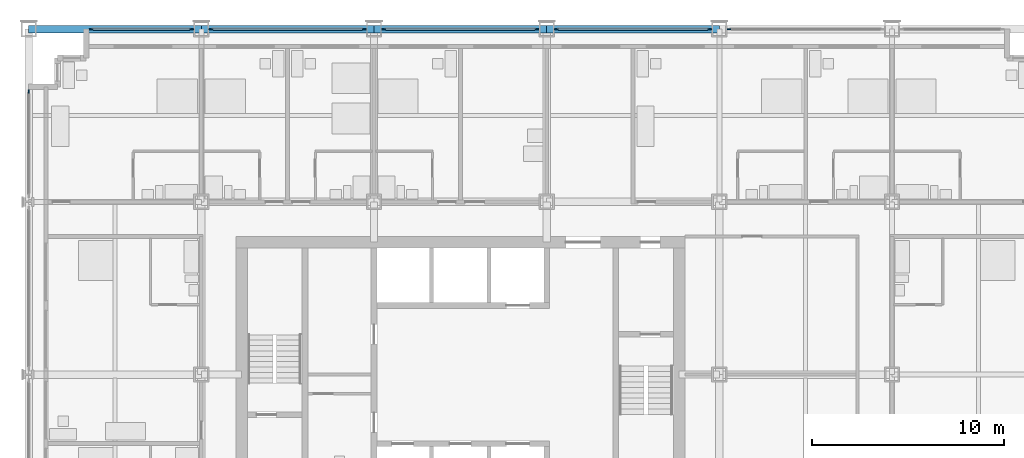
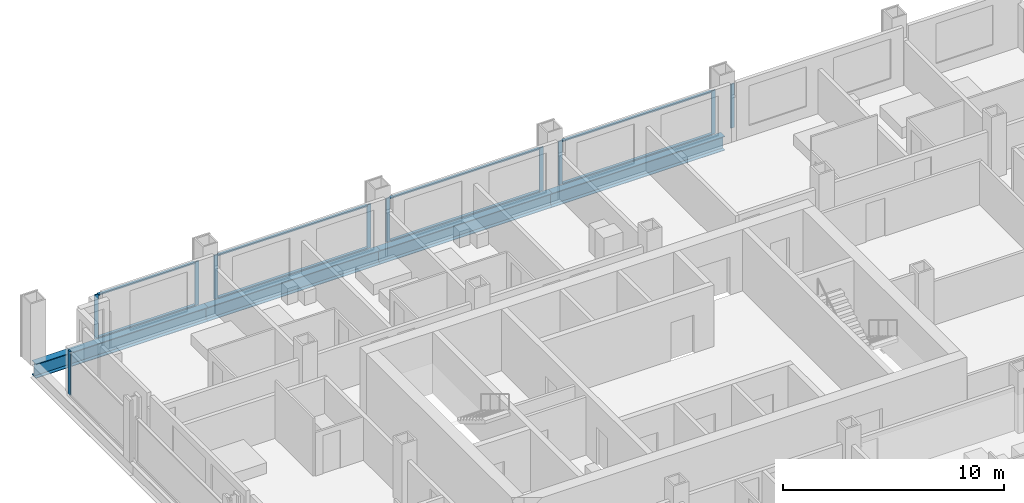
# One storey, part 7 of 18: 18 members, 4 beams, 6 elements without a shape of their own.
"""IFC4 building model written with IfcOpenShell, lengths in metres."""

from ifc_helpers import new_model, si_unit, direction, frame, origin, origin_2d, place, context, subcontext, project, spatial, rectangle, i_section, extrude, material, material_profile, profile_set, type_object, element, aggregate, save


model = new_model("IFC4")

# Units and contexts
model_context = context("Model", 3, precision=1e-05, world=origin(), true_north=direction((0.0, 1.0)))
body_context = subcontext(model_context, "Body", "Model", "MODEL_VIEW")
ifc_project = project(units=[si_unit("LENGTHUNIT", "METRE"), si_unit("AREAUNIT", "SQUARE_METRE"), si_unit("VOLUMEUNIT", "CUBIC_METRE"), si_unit("PLANEANGLEUNIT", "RADIAN"), si_unit("MASSUNIT", "GRAM", prefix="KILO")], contexts=[model_context])

# Site, building, storey
site_placement = place(None, origin())
site = spatial("IfcSite", under=ifc_project, at=site_placement, CompositionType="ELEMENT")
building_placement = place(site_placement, origin())
building = spatial("IfcBuilding", under=site, at=building_placement, Name="Loomwork Tower", CompositionType="ELEMENT")
storey_placement = place(building_placement, frame((0.0, 0.0, 62.0)))
storey = spatial("IfcBuildingStorey", under=building, at=storey_placement, Name="L15", CompositionType="ELEMENT", Elevation=62.0)

# Curtain wall, members
ifc_material_1 = material(Name="Aluminium curtain wall frame", Category="aluminium")
curtain_wall_type = type_object("IfcCurtainWallType", Name="Outer skin glazing hotel", PredefinedType="NOTDEFINED", material=ifc_material_1)
curtain_wall_1_placement = place(storey_placement, origin())
curtain_wall_1 = element("IfcCurtainWall", 1, at=curtain_wall_1_placement, inside=storey, type_object=curtain_wall_type, Name="Outer skin glazing hotel cw/N-0", PredefinedType="NOTDEFINED")
ifc_material_2 = material(Name="Aluminium curtain wall frame", Category="aluminium")
ifc_material_profile_1 = material_profile(ifc_material_2, rectangle(XDim=0.06494140625, YDim=0.199951171875, at=origin_2d()), Name="AL 65x200")
ifc_profile_set_1 = profile_set([ifc_material_profile_1], Name="Aluminium curtain wall frame")
member_type_1 = type_object("IfcMemberType", Name="Outer skin glazing hotel mullion", PredefinedType="MULLION", material=ifc_profile_set_1)
member_1_placement = place(storey_placement, frame((8.5, 36.0, 0.0), z_axis=(0.0, 0.0, 1.0), x_axis=(0.0, -1.0, 0.0)))
member_1 = element("IfcMember", 2, at=member_1_placement, type_object=member_type_1, Name="CW1 mullion 1", PredefinedType="MULLION", context=body_context, shape_type="SweptSolid", body=[
    extrude(rectangle(XDim=0.06494140625, YDim=0.199951171875, at=origin_2d()), origin(), (0.0, 0.0, 1.0), 2.420166015625),
])
member_2_placement = place(storey_placement, frame((3.25, 36.0, 0.0), z_axis=(0.0, 0.0, 1.0), x_axis=(0.0, -1.0, 0.0)))
member_2 = element("IfcMember", 3, at=member_2_placement, type_object=member_type_1, Name="CW1 mullion 2", PredefinedType="MULLION", context=body_context, shape_type="SweptSolid", body=[
    extrude(rectangle(XDim=0.06494140625, YDim=0.199951171875, at=origin_2d()), origin(), (0.0, 0.0, 1.0), 2.420166015625),
])

curtain_wall_2_placement = place(storey_placement, origin())
curtain_wall_2 = element("IfcCurtainWall", 4, at=curtain_wall_2_placement, inside=storey, type_object=curtain_wall_type, Name="Outer skin glazing hotel cw/N-9", PredefinedType="NOTDEFINED")
member_3_placement = place(storey_placement, frame((17.5, 36.0, 0.0), z_axis=(0.0, 0.0, 1.0), x_axis=(0.0, -1.0, 0.0)))
member_3 = element("IfcMember", 5, at=member_3_placement, type_object=member_type_1, Name="CW1 mullion 1", PredefinedType="MULLION", context=body_context, shape_type="SweptSolid", body=[
    extrude(rectangle(XDim=0.06494140625, YDim=0.199951171875, at=origin_2d()), origin(), (0.0, 0.0, 1.0), 2.420166015625),
])
member_4_placement = place(storey_placement, frame((9.5, 36.0, 0.0), z_axis=(0.0, 0.0, 1.0), x_axis=(0.0, -1.0, 0.0)))
member_4 = element("IfcMember", 6, at=member_4_placement, type_object=member_type_1, Name="CW1 mullion 2", PredefinedType="MULLION", context=body_context, shape_type="SweptSolid", body=[
    extrude(rectangle(XDim=0.06494140625, YDim=0.199951171875, at=origin_2d()), origin(), (0.0, 0.0, 1.0), 2.420166015625),
])

curtain_wall_3_placement = place(storey_placement, origin())
curtain_wall_3 = element("IfcCurtainWall", 7, at=curtain_wall_3_placement, inside=storey, type_object=curtain_wall_type, Name="Outer skin glazing hotel cw/N-18", PredefinedType="NOTDEFINED")
member_5_placement = place(storey_placement, frame((26.5, 36.0, 0.0), z_axis=(0.0, 0.0, 1.0), x_axis=(0.0, -1.0, 0.0)))
member_5 = element("IfcMember", 8, at=member_5_placement, type_object=member_type_1, Name="CW1 mullion 1", PredefinedType="MULLION", context=body_context, shape_type="SweptSolid", body=[
    extrude(rectangle(XDim=0.06494140625, YDim=0.199951171875, at=origin_2d()), origin(), (0.0, 0.0, 1.0), 2.420166015625),
])
member_6_placement = place(storey_placement, frame((18.5, 36.0, 0.0), z_axis=(0.0, 0.0, 1.0), x_axis=(0.0, -1.0, 0.0)))
member_6 = element("IfcMember", 9, at=member_6_placement, type_object=member_type_1, Name="CW1 mullion 2", PredefinedType="MULLION", context=body_context, shape_type="SweptSolid", body=[
    extrude(rectangle(XDim=0.06494140625, YDim=0.199951171875, at=origin_2d()), origin(), (0.0, 0.0, 1.0), 2.420166015625),
])

curtain_wall_4_placement = place(storey_placement, origin())
curtain_wall_4 = element("IfcCurtainWall", 10, at=curtain_wall_4_placement, inside=storey, type_object=curtain_wall_type, Name="Outer skin glazing hotel cw/N-27", PredefinedType="NOTDEFINED")
member_7_placement = place(storey_placement, frame((35.5, 36.0, 0.0), z_axis=(0.0, 0.0, 1.0), x_axis=(0.0, -1.0, 0.0)))
member_7 = element("IfcMember", 11, at=member_7_placement, type_object=member_type_1, Name="CW1 mullion 1", PredefinedType="MULLION", context=body_context, shape_type="SweptSolid", body=[
    extrude(rectangle(XDim=0.06494140625, YDim=0.199951171875, at=origin_2d()), origin(), (0.0, 0.0, 1.0), 2.420166015625),
])
member_8_placement = place(storey_placement, frame((27.5, 36.0, 0.0), z_axis=(0.0, 0.0, 1.0), x_axis=(0.0, -1.0, 0.0)))
member_8 = element("IfcMember", 12, at=member_8_placement, type_object=member_type_1, Name="CW1 mullion 2", PredefinedType="MULLION", context=body_context, shape_type="SweptSolid", body=[
    extrude(rectangle(XDim=0.06494140625, YDim=0.199951171875, at=origin_2d()), origin(), (0.0, 0.0, 1.0), 2.420166015625),
])

# Curtain wall, member
curtain_wall_5_placement = place(storey_placement, origin())
curtain_wall_5 = element("IfcCurtainWall", 13, at=curtain_wall_5_placement, inside=storey, type_object=curtain_wall_type, Name="Outer skin glazing hotel cw/N-36", PredefinedType="NOTDEFINED")
member_9_placement = place(storey_placement, frame((36.5, 36.0, 0.0), z_axis=(0.0, 0.0, 1.0), x_axis=(0.0, -1.0, 0.0)))
member_9 = element("IfcMember", 14, at=member_9_placement, type_object=member_type_1, Name="CW1 mullion 2", PredefinedType="MULLION", context=body_context, shape_type="SweptSolid", body=[
    extrude(rectangle(XDim=0.06494140625, YDim=0.199951171875, at=origin_2d()), origin(), (0.0, 0.0, 1.0), 2.420166015625),
])
aggregate(curtain_wall_5, [member_9])

curtain_wall_6_placement = place(storey_placement, origin())
curtain_wall_6 = element("IfcCurtainWall", 15, at=curtain_wall_6_placement, inside=storey, type_object=curtain_wall_type, Name="Outer skin glazing hotel cw/W-27", PredefinedType="NOTDEFINED")
member_10_placement = place(storey_placement, frame((0.0, 32.75, 0.0), z_axis=(0.0, 0.0, 1.0), x_axis=(1.0, 0.0, 0.0)))
member_10 = element("IfcMember", 16, at=member_10_placement, type_object=member_type_1, Name="CW1 mullion 1", PredefinedType="MULLION", context=body_context, shape_type="SweptSolid", body=[
    extrude(rectangle(XDim=0.06494140625, YDim=0.199951171875, at=origin_2d()), origin(), (0.0, 0.0, 1.0), 2.420166015625),
])
aggregate(curtain_wall_6, [member_10])

# Member
ifc_material_3 = material(Name="Aluminium curtain wall frame", Category="aluminium")
ifc_material_profile_2 = material_profile(ifc_material_3, rectangle(XDim=0.14990234375, YDim=0.06494140625, at=origin_2d()), Name="AL 65x150")
ifc_profile_set_2 = profile_set([ifc_material_profile_2], Name="Aluminium curtain wall frame")
member_type_2 = type_object("IfcMemberType", Name="Outer skin glazing hotel transom", PredefinedType="USERDEFINED", material=ifc_profile_set_2)
member_11_placement = place(storey_placement, frame((8.39990234375, 36.0, 0.032470703125), z_axis=(-1.0, 0.0, 0.0), x_axis=(0.0, -1.0, 0.0)))
member_11 = element("IfcMember", 17, at=member_11_placement, type_object=member_type_2, Name="CW1 transom 1.1", ObjectType="TRANSOM", PredefinedType="USERDEFINED", context=body_context, shape_type="SweptSolid", body=[
    extrude(rectangle(XDim=0.14990234375, YDim=0.06494140625, at=origin_2d()), origin(), (0.0, 0.0, 1.0), 5.0498046875),
])

member_12_placement = place(storey_placement, frame((8.39990234375, 36.0, 2.3876953125), z_axis=(-1.0, 0.0, 0.0), x_axis=(0.0, -1.0, 0.0)))
member_12 = element("IfcMember", 18, at=member_12_placement, type_object=member_type_2, Name="CW1 transom 1.2", ObjectType="TRANSOM", PredefinedType="USERDEFINED", context=body_context, shape_type="SweptSolid", body=[
    extrude(rectangle(XDim=0.14990234375, YDim=0.06494140625, at=origin_2d()), origin(), (0.0, 0.0, 1.0), 5.0498046875),
])

aggregate(curtain_wall_1, [member_1, member_2, member_11, member_12])

member_13_placement = place(storey_placement, frame((17.39990234375, 36.0, 0.032470703125), z_axis=(-1.0, 0.0, 0.0), x_axis=(0.0, -1.0, 0.0)))
member_13 = element("IfcMember", 19, at=member_13_placement, type_object=member_type_2, Name="CW1 transom 1.1", ObjectType="TRANSOM", PredefinedType="USERDEFINED", context=body_context, shape_type="SweptSolid", body=[
    extrude(rectangle(XDim=0.14990234375, YDim=0.06494140625, at=origin_2d()), origin(), (0.0, 0.0, 1.0), 7.7998046875),
])

member_14_placement = place(storey_placement, frame((17.39990234375, 36.0, 2.3876953125), z_axis=(-1.0, 0.0, 0.0), x_axis=(0.0, -1.0, 0.0)))
member_14 = element("IfcMember", 20, at=member_14_placement, type_object=member_type_2, Name="CW1 transom 1.2", ObjectType="TRANSOM", PredefinedType="USERDEFINED", context=body_context, shape_type="SweptSolid", body=[
    extrude(rectangle(XDim=0.14990234375, YDim=0.06494140625, at=origin_2d()), origin(), (0.0, 0.0, 1.0), 7.7998046875),
])

aggregate(curtain_wall_2, [member_3, member_4, member_13, member_14])

member_15_placement = place(storey_placement, frame((26.39990234375, 36.0, 0.032470703125), z_axis=(-1.0, 0.0, 0.0), x_axis=(0.0, -1.0, 0.0)))
member_15 = element("IfcMember", 21, at=member_15_placement, type_object=member_type_2, Name="CW1 transom 1.1", ObjectType="TRANSOM", PredefinedType="USERDEFINED", context=body_context, shape_type="SweptSolid", body=[
    extrude(rectangle(XDim=0.14990234375, YDim=0.06494140625, at=origin_2d()), origin(), (0.0, 0.0, 1.0), 7.7998046875),
])

member_16_placement = place(storey_placement, frame((26.39990234375, 36.0, 2.3876953125), z_axis=(-1.0, 0.0, 0.0), x_axis=(0.0, -1.0, 0.0)))
member_16 = element("IfcMember", 22, at=member_16_placement, type_object=member_type_2, Name="CW1 transom 1.2", ObjectType="TRANSOM", PredefinedType="USERDEFINED", context=body_context, shape_type="SweptSolid", body=[
    extrude(rectangle(XDim=0.14990234375, YDim=0.06494140625, at=origin_2d()), origin(), (0.0, 0.0, 1.0), 7.7998046875),
])

aggregate(curtain_wall_3, [member_5, member_6, member_15, member_16])

member_17_placement = place(storey_placement, frame((35.39990234375, 36.0, 0.032470703125), z_axis=(-1.0, 0.0, 0.0), x_axis=(0.0, -1.0, 0.0)))
member_17 = element("IfcMember", 23, at=member_17_placement, type_object=member_type_2, Name="CW1 transom 1.1", ObjectType="TRANSOM", PredefinedType="USERDEFINED", context=body_context, shape_type="SweptSolid", body=[
    extrude(rectangle(XDim=0.14990234375, YDim=0.06494140625, at=origin_2d()), origin(), (0.0, 0.0, 1.0), 7.7998046875),
])

member_18_placement = place(storey_placement, frame((35.39990234375, 36.0, 2.3876953125), z_axis=(-1.0, 0.0, 0.0), x_axis=(0.0, -1.0, 0.0)))
member_18 = element("IfcMember", 24, at=member_18_placement, type_object=member_type_2, Name="CW1 transom 1.2", ObjectType="TRANSOM", PredefinedType="USERDEFINED", context=body_context, shape_type="SweptSolid", body=[
    extrude(rectangle(XDim=0.14990234375, YDim=0.06494140625, at=origin_2d()), origin(), (0.0, 0.0, 1.0), 7.7998046875),
])

aggregate(curtain_wall_4, [member_7, member_8, member_17, member_18])

# Beams
ifc_material_4 = material(Name="Steel ASTM A992", Category="steel")
ifc_material_profile_3 = material_profile(ifc_material_4, i_section(OverallWidth=0.381103515625, OverallDepth=0.77978515625, WebThickness=0.01806640625, FlangeThickness=0.0302734375, at=origin_2d()), Name="W30x191")
ifc_profile_set_3 = profile_set([ifc_material_profile_3], Name="Steel ASTM A992")
beam_type = type_object("IfcBeamType", Name="SPANDREL GIRDER W30x191", PredefinedType="SPANDREL", material=ifc_profile_set_3)
for number, where, z_axis, x_axis, name in (
    (25, (0.0, 36.0, -0.58984375), (1.0, 0.0, 0.0), (0.0, 1.0, 0.0), "Spandrel Girder H/2-H/3 L15"),
    (26, (9.0, 36.0, -0.58984375), (1.0, 0.0, 0.0), (0.0, 1.0, 0.0), "Spandrel Girder H/3-H/4 L15"),
    (27, (18.0, 36.0, -0.58984375), (1.0, 0.0, 0.0), (0.0, 1.0, 0.0), "Spandrel Girder H/4-H/5 L15"),
    (28, (27.0, 36.0, -0.58984375), (1.0, 0.0, 0.0), (0.0, 1.0, 0.0), "Spandrel Girder H/5-H/6 L15"),
):
    element("IfcBeam", number, at=place(storey_placement, frame(where, z_axis=z_axis, x_axis=x_axis)), inside=storey, type_object=beam_type, Name=name, PredefinedType="SPANDREL", context=body_context, shape_type="SweptSolid", body=[
        extrude(i_section(OverallWidth=0.381103515625, OverallDepth=0.77978515625, WebThickness=0.01806640625, FlangeThickness=0.0302734375, at=origin_2d()), origin(), (0.0, 0.0, 1.0), 9.0),
    ])

save(model, "model.ifc")
